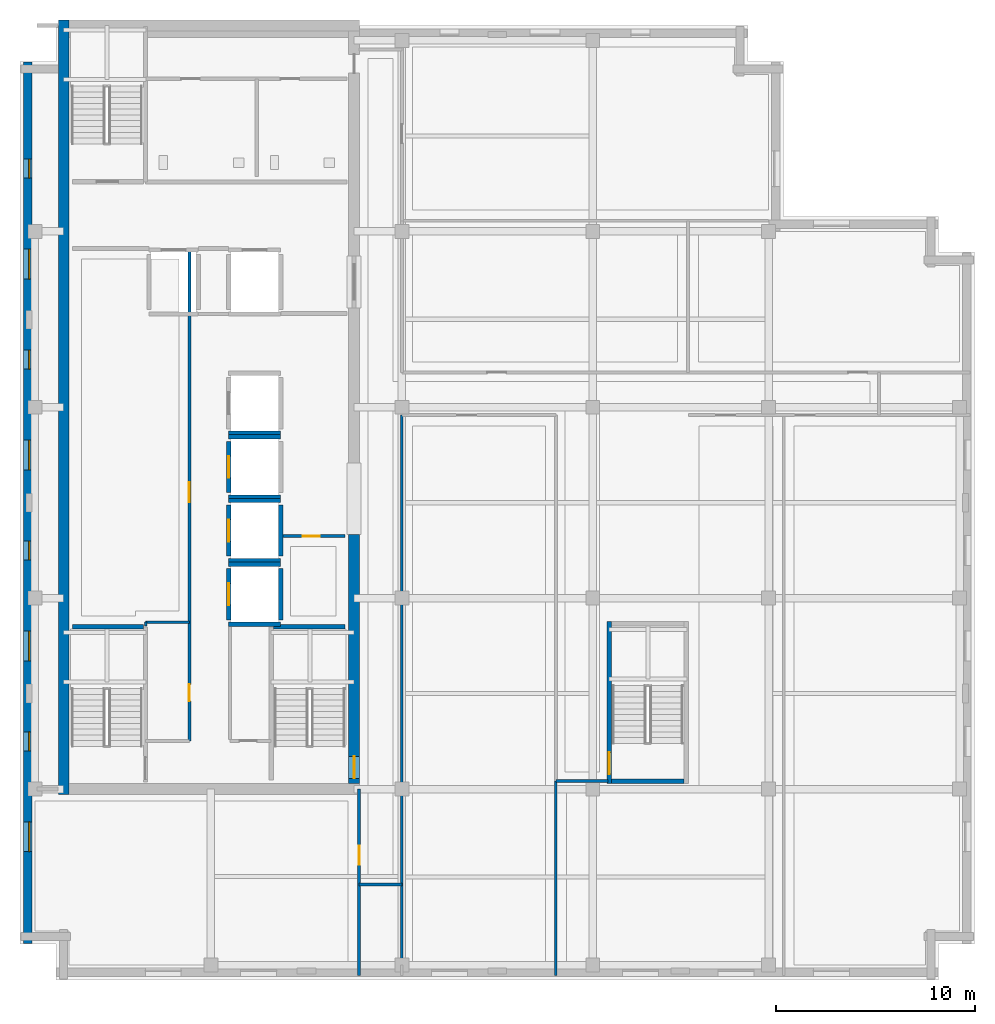
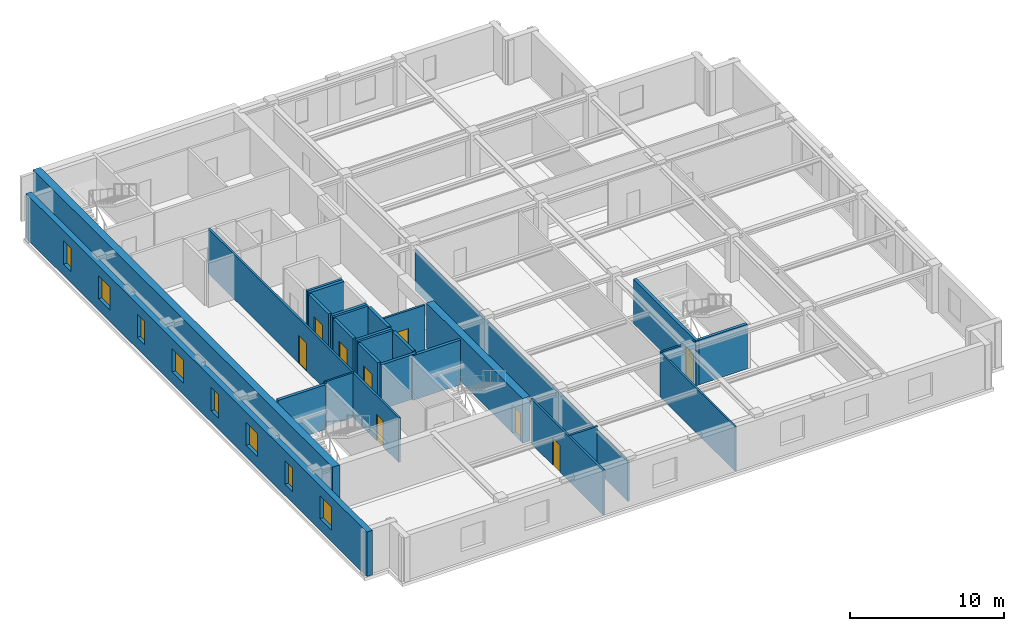
# One storey, part 3 of 10: 28 walls, 9 doors, 8 windows, 17 openings.
"""IFC4 building model written with IfcOpenShell, lengths in metres."""

from ifc_helpers import new_model, si_unit, direction, frame, frame_2d, origin, place, context, subcontext, project, spatial, rectangle, extrude, material, layer, layer_set, type_object, element, fill, save


model = new_model("IFC4")

# Units and contexts
model_context = context("Model", 3, precision=1e-05, world=origin(), true_north=direction((0.0, 1.0)))
body_context = subcontext(model_context, "Body", "Model", "MODEL_VIEW")
ifc_project = project(units=[si_unit("LENGTHUNIT", "METRE"), si_unit("AREAUNIT", "SQUARE_METRE"), si_unit("VOLUMEUNIT", "CUBIC_METRE"), si_unit("PLANEANGLEUNIT", "RADIAN"), si_unit("MASSUNIT", "GRAM", prefix="KILO")], contexts=[model_context])

# Site, building, storey
site_placement = place(None, origin())
site = spatial("IfcSite", under=ifc_project, at=site_placement, CompositionType="ELEMENT")
building_placement = place(site_placement, origin())
building = spatial("IfcBuilding", under=site, at=building_placement, Name="Norrvale University Quadrangle", CompositionType="ELEMENT")
storey_placement = place(building_placement, frame((0.0, 0.0, 296.199951171875)))
storey = spatial("IfcBuildingStorey", under=building, at=storey_placement, Name="L75", CompositionType="ELEMENT", Elevation=296.199951171875)

# Wall, openings, windows
ifc_material_1 = material(Name="Buff Norman Clay Brick Masonry", Category="masonry")
ifc_layer_1 = layer(ifc_material_1, 0.419921875, Name="Buff Norman Clay Brick Masonry")
ifc_layer_set_1 = layer_set([ifc_layer_1], Name="Buff Norman Clay Brick Masonry")
wall_type_1 = type_object("IfcWallType", Name="Wall Buff Brick 420", PredefinedType="SOLIDWALL", material=ifc_layer_set_1)
wall_1_placement = place(storey_placement, frame((0.389892578125, 46.159912109375, 0.0), z_axis=(0.0, 0.0, 1.0), x_axis=(0.0, -1.0, 0.0)))
wall_1 = element("IfcWall", 1, at=wall_1_placement, inside=storey, type_object=wall_type_1, Name="Exterior Brick Facade Wall L75-14.1", PredefinedType="SOLIDWALL", context=body_context, shape_type="SweptSolid", body=[
    extrude(rectangle(XDim=44.31982421875, YDim=0.419921875, at=frame_2d((22.159912109375, 0.0))), origin(), (0.0, 0.0, 1.0), 3.5400390625),
])
opening_1_placement = place(wall_1_placement, frame((4.885009765625, 0.0, 0.89990234375)))
opening_1 = element("IfcOpeningElement", 2, at=opening_1_placement, cuts=wall_1, Name="Opening W04", PredefinedType="OPENING", context=body_context, shape_type="SweptSolid", body=[
    extrude(rectangle(XDim=0.949951171875, YDim=1.85009765625, at=frame_2d((0.47509765625, 0.925048828125))), frame((0.0, 0.221923828125, 0.0), z_axis=(0.0, -1.0, 0.0), x_axis=(1.0, 0.0, 0.0)), (0.0, 0.0, 1.0), 0.44384765625),
])
opening_2_placement = place(wall_1_placement, frame((9.409912109375, 0.0, 0.89990234375)))
opening_2 = element("IfcOpeningElement", 3, at=opening_2_placement, cuts=wall_1, Name="Opening W03", PredefinedType="OPENING", context=body_context, shape_type="SweptSolid", body=[
    extrude(rectangle(XDim=1.5, YDim=1.85009765625, at=frame_2d((0.75, 0.925048828125))), frame((0.0, 0.221923828125, 0.0), z_axis=(0.0, -1.0, 0.0), x_axis=(1.0, 0.0, 0.0)), (0.0, 0.0, 1.0), 0.44384765625),
])
opening_3_placement = place(wall_1_placement, frame((14.485107421875, 0.0, 0.89990234375)))
opening_3 = element("IfcOpeningElement", 4, at=opening_3_placement, cuts=wall_1, Name="Opening W04", PredefinedType="OPENING", context=body_context, shape_type="SweptSolid", body=[
    extrude(rectangle(XDim=0.949951171875, YDim=1.85009765625, at=frame_2d((0.47509765625, 0.925048828125))), frame((0.0, 0.221923828125, 0.0), z_axis=(0.0, -1.0, 0.0), x_axis=(1.0, 0.0, 0.0)), (0.0, 0.0, 1.0), 0.44384765625),
])
opening_4_placement = place(wall_1_placement, frame((19.010009765625, 0.0, 0.89990234375)))
opening_4 = element("IfcOpeningElement", 5, at=opening_4_placement, cuts=wall_1, Name="Opening W03", PredefinedType="OPENING", context=body_context, shape_type="SweptSolid", body=[
    extrude(rectangle(XDim=1.5, YDim=1.85009765625, at=frame_2d((0.75, 0.925048828125))), frame((0.0, 0.221923828125, 0.0), z_axis=(0.0, -1.0, 0.0), x_axis=(1.0, 0.0, 0.0)), (0.0, 0.0, 1.0), 0.44384765625),
])
opening_5_placement = place(wall_1_placement, frame((24.0849609375, 0.0, 0.89990234375)))
opening_5 = element("IfcOpeningElement", 6, at=opening_5_placement, cuts=wall_1, Name="Opening W04", PredefinedType="OPENING", context=body_context, shape_type="SweptSolid", body=[
    extrude(rectangle(XDim=0.949951171875, YDim=1.85009765625, at=frame_2d((0.47509765625, 0.925048828125))), frame((0.0, 0.221923828125, 0.0), z_axis=(0.0, -1.0, 0.0), x_axis=(1.0, 0.0, 0.0)), (0.0, 0.0, 1.0), 0.44384765625),
])
opening_6_placement = place(wall_1_placement, frame((28.610107421875, 0.0, 0.89990234375)))
opening_6 = element("IfcOpeningElement", 7, at=opening_6_placement, cuts=wall_1, Name="Opening W03", PredefinedType="OPENING", context=body_context, shape_type="SweptSolid", body=[
    extrude(rectangle(XDim=1.5, YDim=1.85009765625, at=frame_2d((0.75, 0.925048828125))), frame((0.0, 0.221923828125, 0.0), z_axis=(0.0, -1.0, 0.0), x_axis=(1.0, 0.0, 0.0)), (0.0, 0.0, 1.0), 0.44384765625),
])
opening_7_placement = place(wall_1_placement, frame((33.68505859375, 0.0, 0.89990234375)))
opening_7 = element("IfcOpeningElement", 8, at=opening_7_placement, cuts=wall_1, Name="Opening W04", PredefinedType="OPENING", context=body_context, shape_type="SweptSolid", body=[
    extrude(rectangle(XDim=0.949951171875, YDim=1.85009765625, at=frame_2d((0.47509765625, 0.925048828125))), frame((0.0, 0.221923828125, 0.0), z_axis=(0.0, -1.0, 0.0), x_axis=(1.0, 0.0, 0.0)), (0.0, 0.0, 1.0), 0.44384765625),
])
opening_8_placement = place(wall_1_placement, frame((38.2099609375, 0.0, 0.89990234375)))
opening_8 = element("IfcOpeningElement", 9, at=opening_8_placement, cuts=wall_1, Name="Opening W03", PredefinedType="OPENING", context=body_context, shape_type="SweptSolid", body=[
    extrude(rectangle(XDim=1.5, YDim=1.85009765625, at=frame_2d((0.75, 0.925048828125))), frame((0.0, 0.221923828125, 0.0), z_axis=(0.0, -1.0, 0.0), x_axis=(1.0, 0.0, 0.0)), (0.0, 0.0, 1.0), 0.44384765625),
])
ifc_material_2 = material(Name="Triple Low-E Argon Glazing", Category="glass")
window_type_1 = type_object("IfcWindowType", Name="Window Narrow Pier 950x2300", PartitioningType="SINGLE_PANEL", PredefinedType="WINDOW", material=ifc_material_2)
window_1_placement = place(opening_1_placement, origin())
window_1 = element("IfcWindow", 10, at=window_1_placement, inside=storey, type_object=window_type_1, Name="Window Narrow Pier 950x2300 WIN-L75-E14-1-01", OverallHeight=1.85009765625, OverallWidth=0.949951171875, PartitioningType="SINGLE_PANEL", PredefinedType="WINDOW", context=body_context, shape_type="SweptSolid", body=[
    extrude(rectangle(XDim=0.949951171875, YDim=1.85009765625, at=frame_2d((0.47509765625, 0.925048828125))), frame((0.0, 0.110107421875, 0.0), z_axis=(0.0, -1.0, 0.0), x_axis=(1.0, 0.0, 0.0)), (0.0, 0.0, 1.0), 0.06005859375),
])
fill(opening_1, window_1)
window_2_placement = place(opening_3_placement, origin())
window_2 = element("IfcWindow", 11, at=window_2_placement, inside=storey, type_object=window_type_1, Name="Window Narrow Pier 950x2300 WIN-L75-E14-1-03", OverallHeight=1.85009765625, OverallWidth=0.949951171875, PartitioningType="SINGLE_PANEL", PredefinedType="WINDOW", context=body_context, shape_type="SweptSolid", body=[
    extrude(rectangle(XDim=0.949951171875, YDim=1.85009765625, at=frame_2d((0.47509765625, 0.925048828125))), frame((0.0, 0.110107421875, 0.0), z_axis=(0.0, -1.0, 0.0), x_axis=(1.0, 0.0, 0.0)), (0.0, 0.0, 1.0), 0.06005859375),
])
fill(opening_3, window_2)
window_3_placement = place(opening_5_placement, origin())
window_3 = element("IfcWindow", 12, at=window_3_placement, inside=storey, type_object=window_type_1, Name="Window Narrow Pier 950x2300 WIN-L75-E14-1-05", OverallHeight=1.85009765625, OverallWidth=0.949951171875, PartitioningType="SINGLE_PANEL", PredefinedType="WINDOW", context=body_context, shape_type="SweptSolid", body=[
    extrude(rectangle(XDim=0.949951171875, YDim=1.85009765625, at=frame_2d((0.47509765625, 0.925048828125))), frame((0.0, 0.110107421875, 0.0), z_axis=(0.0, -1.0, 0.0), x_axis=(1.0, 0.0, 0.0)), (0.0, 0.0, 1.0), 0.06005859375),
])
fill(opening_5, window_3)
window_4_placement = place(opening_7_placement, origin())
window_4 = element("IfcWindow", 13, at=window_4_placement, inside=storey, type_object=window_type_1, Name="Window Narrow Pier 950x2300 WIN-L75-E14-1-07", OverallHeight=1.85009765625, OverallWidth=0.949951171875, PartitioningType="SINGLE_PANEL", PredefinedType="WINDOW", context=body_context, shape_type="SweptSolid", body=[
    extrude(rectangle(XDim=0.949951171875, YDim=1.85009765625, at=frame_2d((0.47509765625, 0.925048828125))), frame((0.0, 0.110107421875, 0.0), z_axis=(0.0, -1.0, 0.0), x_axis=(1.0, 0.0, 0.0)), (0.0, 0.0, 1.0), 0.06005859375),
])
fill(opening_7, window_4)
window_type_2 = type_object("IfcWindowType", Name="Window Studio 1500x2300", PartitioningType="DOUBLE_PANEL_VERTICAL", PredefinedType="WINDOW", material=ifc_material_2)
window_5_placement = place(opening_2_placement, origin())
window_5 = element("IfcWindow", 14, at=window_5_placement, inside=storey, type_object=window_type_2, Name="Window Studio 1500x2300 WIN-L75-E14-1-02", OverallHeight=1.85009765625, OverallWidth=1.5, PartitioningType="DOUBLE_PANEL_VERTICAL", PredefinedType="WINDOW", context=body_context, shape_type="SweptSolid", body=[
    extrude(rectangle(XDim=1.5, YDim=1.85009765625, at=frame_2d((0.75, 0.925048828125))), frame((0.0, 0.110107421875, 0.0), z_axis=(0.0, -1.0, 0.0), x_axis=(1.0, 0.0, 0.0)), (0.0, 0.0, 1.0), 0.06005859375),
])
fill(opening_2, window_5)
window_6_placement = place(opening_4_placement, origin())
window_6 = element("IfcWindow", 15, at=window_6_placement, inside=storey, type_object=window_type_2, Name="Window Studio 1500x2300 WIN-L75-E14-1-04", OverallHeight=1.85009765625, OverallWidth=1.5, PartitioningType="DOUBLE_PANEL_VERTICAL", PredefinedType="WINDOW", context=body_context, shape_type="SweptSolid", body=[
    extrude(rectangle(XDim=1.5, YDim=1.85009765625, at=frame_2d((0.75, 0.925048828125))), frame((0.0, 0.110107421875, 0.0), z_axis=(0.0, -1.0, 0.0), x_axis=(1.0, 0.0, 0.0)), (0.0, 0.0, 1.0), 0.06005859375),
])
fill(opening_4, window_6)
window_7_placement = place(opening_6_placement, origin())
window_7 = element("IfcWindow", 16, at=window_7_placement, inside=storey, type_object=window_type_2, Name="Window Studio 1500x2300 WIN-L75-E14-1-06", OverallHeight=1.85009765625, OverallWidth=1.5, PartitioningType="DOUBLE_PANEL_VERTICAL", PredefinedType="WINDOW", context=body_context, shape_type="SweptSolid", body=[
    extrude(rectangle(XDim=1.5, YDim=1.85009765625, at=frame_2d((0.75, 0.925048828125))), frame((0.0, 0.110107421875, 0.0), z_axis=(0.0, -1.0, 0.0), x_axis=(1.0, 0.0, 0.0)), (0.0, 0.0, 1.0), 0.06005859375),
])
fill(opening_6, window_7)
window_8_placement = place(opening_8_placement, origin())
window_8 = element("IfcWindow", 17, at=window_8_placement, inside=storey, type_object=window_type_2, Name="Window Studio 1500x2300 WIN-L75-E14-1-08", OverallHeight=1.85009765625, OverallWidth=1.5, PartitioningType="DOUBLE_PANEL_VERTICAL", PredefinedType="WINDOW", context=body_context, shape_type="SweptSolid", body=[
    extrude(rectangle(XDim=1.5, YDim=1.85009765625, at=frame_2d((0.75, 0.925048828125))), frame((0.0, 0.110107421875, 0.0), z_axis=(0.0, -1.0, 0.0), x_axis=(1.0, 0.0, 0.0)), (0.0, 0.0, 1.0), 0.06005859375),
])
fill(opening_8, window_8)

# Wall
ifc_material_3 = material(Name="Concrete C60/75", Category="concrete")
ifc_layer_2 = layer(ifc_material_3, 0.550048828125, Name="Concrete C60/75")
ifc_layer_set_2 = layer_set([ifc_layer_2], Name="Concrete C60/75")
wall_type_2 = type_object("IfcWallType", Name="Wall Core 550", PredefinedType="SHEAR", material=ifc_layer_set_2)
wall_2_placement = place(storey_placement, frame((2.199951171875, 9.324951171875, 0.0), z_axis=(0.0, 0.0, 1.0), x_axis=(0.0, 1.0, 0.0)))
element("IfcWall", 18, at=wall_2_placement, inside=storey, type_object=wall_type_2, Name="Tower Core Shear Wall L75-W", PredefinedType="SHEAR", context=body_context, shape_type="SweptSolid", body=[
    extrude(rectangle(XDim=38.949951171875, YDim=0.550048828125, at=frame_2d((19.47509765625, 0.0))), origin(), (0.0, 0.0, 1.0), 3.5400390625),
])

# Wall, opening, door
wall_3_placement = place(storey_placement, frame((16.800048828125, 9.875, 0.0), z_axis=(0.0, 0.0, 1.0), x_axis=(0.0, 1.0, 0.0)))
wall_3 = element("IfcWall", 19, at=wall_3_placement, inside=storey, type_object=wall_type_2, Name="Tower Core Shear Wall L75-E1", PredefinedType="SHEAR", context=body_context, shape_type="SweptSolid", body=[
    extrude(rectangle(XDim=12.52490234375, YDim=0.550048828125, at=frame_2d((6.262451171875, 0.0))), origin(), (0.0, 0.0, 1.0), 3.5400390625),
])
opening_9_placement = place(wall_3_placement, frame((0.264892578125, 0.0, 0.0)))
opening_9 = element("IfcOpeningElement", 20, at=opening_9_placement, cuts=wall_3, Name="Opening D02", PredefinedType="OPENING", context=body_context, shape_type="SweptSolid", body=[
    extrude(rectangle(XDim=1.10009765625, YDim=2.199951171875, at=frame_2d((0.550048828125, 1.10009765625))), frame((0.0, 0.287109375, 0.0), z_axis=(0.0, -1.0, 0.0), x_axis=(1.0, 0.0, 0.0)), (0.0, 0.0, 1.0), 0.573974609375),
])
ifc_material_4 = material(Name="Hollow Steel 350W Fire Door", Category="steel")
door_type_1 = type_object("IfcDoorType", Name="Door Stair Exit 1100x2200", OperationType="NOTDEFINED", PredefinedType="DOOR", material=ifc_material_4)
door_1_placement = place(opening_9_placement, origin())
door_1 = element("IfcDoor", 21, at=door_1_placement, inside=storey, type_object=door_type_1, Name="Door Stair Exit 1100x2200 DR-L75-ST03", OperationType="SINGLE_SWING_LEFT", OverallHeight=2.199951171875, OverallWidth=1.10009765625, PredefinedType="DOOR", context=body_context, shape_type="SweptSolid", body=[
    extrude(rectangle(XDim=1.10009765625, YDim=2.199951171875, at=frame_2d((0.550048828125, 1.10009765625))), frame((0.0, 0.02490234375, 0.0), z_axis=(0.0, -1.0, 0.0), x_axis=(1.0, 0.0, 0.0)), (0.0, 0.0, 1.0), 0.050048828125),
])
fill(opening_9, door_1)

# Walls
ifc_material_5 = material(Name="Standard Academic Gypsum Partition")
ifc_layer_3 = layer(ifc_material_5, 0.125, Name="Standard Academic Gypsum Partition")
ifc_layer_set_3 = layer_set([ifc_layer_3], Name="Standard Academic Gypsum Partition")
wall_type_3 = type_object("IfcWallType", Name="Wall Gypsum Academic 125", PredefinedType="PARTITIONING", material=ifc_layer_set_3)
wall_4_placement = place(storey_placement, frame((6.320068359375, 17.800048828125, 0.0), z_axis=(0.0, 0.0, 1.0), x_axis=(0.0, 1.0, 0.0)))
element("IfcWall", 22, at=wall_4_placement, inside=storey, type_object=wall_type_3, Name="Interior Partition WL-L75-REC-L1", PredefinedType="PARTITIONING", context=body_context, shape_type="SweptSolid", body=[
    extrude(rectangle(XDim=0.199951171875, YDim=0.125, at=frame_2d((0.10009765625, 0.0))), origin(), (0.0, 0.0, 1.0), 3.5400390625),
])
wall_5_placement = place(storey_placement, frame((6.320068359375, 18.0, 0.0), z_axis=(0.0, 0.0, 1.0), x_axis=(1.0, 0.0, 0.0)))
element("IfcWall", 23, at=wall_5_placement, inside=storey, type_object=wall_type_3, Name="Interior Partition WL-L75-REC-L2", PredefinedType="PARTITIONING", context=body_context, shape_type="SweptSolid", body=[
    extrude(rectangle(XDim=2.199951171875, YDim=0.125, at=frame_2d((1.10009765625, 0.0))), origin(), (0.0, 0.0, 1.0), 3.5400390625),
])
wall_6_placement = place(storey_placement, frame((19.199951171875, 0.75, 0.0), z_axis=(0.0, 0.0, 1.0), x_axis=(0.0, 1.0, 0.0)))
element("IfcWall", 24, at=wall_6_placement, inside=storey, type_object=wall_type_3, Name="Interior Partition WL-L75-SE-W0-B2", PredefinedType="PARTITIONING", context=body_context, shape_type="SweptSolid", body=[
    extrude(rectangle(XDim=27.64990234375, YDim=0.125, at=frame_2d((13.824951171875, 0.0))), origin(), (0.0, 0.0, 1.0), 3.18408203125),
])
wall_7_placement = place(storey_placement, frame((26.949951171875, 0.219970703125, 0.0), z_axis=(0.0, 0.0, 1.0), x_axis=(0.0, 1.0, 0.0)))
element("IfcWall", 25, at=wall_7_placement, inside=storey, type_object=wall_type_3, Name="Interior Partition WL-L75-SEP1A", PredefinedType="PARTITIONING", context=body_context, shape_type="SweptSolid", body=[
    extrude(rectangle(XDim=9.780029296875, YDim=0.125, at=frame_2d((4.89013671875, 0.0))), origin(), (0.0, 0.0, 1.0), 3.5400390625),
])

# Wall, opening, door
ifc_material_6 = material(Name="Fire-Rated Gypsum Stud Partition")
ifc_layer_4 = layer(ifc_material_6, 0.14990234375, Name="Fire-Rated Gypsum Stud Partition")
ifc_layer_set_4 = layer_set([ifc_layer_4], Name="Fire-Rated Gypsum Stud Partition")
wall_type_4 = type_object("IfcWallType", Name="Wall Gypsum Corridor 150", PredefinedType="PARTITIONING", material=ifc_layer_set_4)
wall_8_placement = place(storey_placement, frame((13.22509765625, 22.320068359375, 0.0), z_axis=(0.0, 0.0, 1.0), x_axis=(1.0, 0.0, 0.0)))
wall_8 = element("IfcWall", 26, at=wall_8_placement, inside=storey, type_object=wall_type_4, Name="Interior Partition WL-L75-JAN-N", PredefinedType="PARTITIONING", context=body_context, shape_type="SweptSolid", body=[
    extrude(rectangle(XDim=3.119873046875, YDim=0.14990234375, at=frame_2d((1.56005859375, 0.0))), origin(), (0.0, 0.0, 1.0), 3.5400390625),
])
opening_10_placement = place(wall_8_placement, frame((1.0, 0.0, 0.0)))
opening_10 = element("IfcOpeningElement", 27, at=opening_10_placement, cuts=wall_8, Name="Opening D10", PredefinedType="OPENING", context=body_context, shape_type="SweptSolid", body=[
    extrude(rectangle(XDim=0.85009765625, YDim=2.10009765625, at=frame_2d((0.425048828125, 1.050048828125))), frame((0.0, 0.0869140625, 0.0), z_axis=(0.0, -1.0, 0.0), x_axis=(1.0, 0.0, 0.0)), (0.0, 0.0, 1.0), 0.173828125),
])
ifc_material_7 = material(Name="Hollow Steel 350W Riser Fire Door", Category="steel")
door_type_2 = type_object("IfcDoorType", Name="Door Riser 850x2100", OperationType="NOTDEFINED", PredefinedType="DOOR", material=ifc_material_7)
door_2_placement = place(opening_10_placement, origin())
door_2 = element("IfcDoor", 28, at=door_2_placement, inside=storey, type_object=door_type_2, Name="Door Riser 850x2100 DR-L75-JAN", OperationType="SINGLE_SWING_LEFT", OverallHeight=2.10009765625, OverallWidth=0.85009765625, PredefinedType="DOOR", context=body_context, shape_type="SweptSolid", body=[
    extrude(rectangle(XDim=0.85009765625, YDim=2.10009765625, at=frame_2d((0.425048828125, 1.050048828125))), frame((0.0, 0.02490234375, 0.0), z_axis=(0.0, -1.0, 0.0), x_axis=(1.0, 0.0, 0.0)), (0.0, 0.0, 1.0), 0.050048828125),
])
fill(opening_10, door_2)

# Wall, openings, doors
wall_9_placement = place(storey_placement, frame((8.52001953125, 12.02001953125, 0.0), z_axis=(0.0, 0.0, 1.0), x_axis=(0.0, 1.0, 0.0)))
wall_9 = element("IfcWall", 29, at=wall_9_placement, inside=storey, type_object=wall_type_4, Name="Interior Partition WL-L75-REC-E", PredefinedType="PARTITIONING", context=body_context, shape_type="SweptSolid", body=[
    extrude(rectangle(XDim=24.760009765625, YDim=0.14990234375, at=frame_2d((12.3798828125, 0.0))), origin(), (0.0, 0.0, 1.0), 3.5400390625),
])
opening_11_placement = place(wall_9_placement, frame((2.0, 0.0, 0.0)))
opening_11 = element("IfcOpeningElement", 30, at=opening_11_placement, cuts=wall_9, Name="Opening D10", PredefinedType="OPENING", context=body_context, shape_type="SweptSolid", body=[
    extrude(rectangle(XDim=0.85009765625, YDim=2.10009765625, at=frame_2d((0.425048828125, 1.050048828125))), frame((0.0, 0.0869140625, 0.0), z_axis=(0.0, -1.0, 0.0), x_axis=(1.0, 0.0, 0.0)), (0.0, 0.0, 1.0), 0.173828125),
])
opening_12_placement = place(wall_9_placement, frame((12.0, 0.0, 0.0)))
opening_12 = element("IfcOpeningElement", 31, at=opening_12_placement, cuts=wall_9, Name="Opening D04", PredefinedType="OPENING", context=body_context, shape_type="SweptSolid", body=[
    extrude(rectangle(XDim=1.0, YDim=2.199951171875, at=frame_2d((0.5, 1.10009765625))), frame((0.0, 0.0869140625, 0.0), z_axis=(0.0, -1.0, 0.0), x_axis=(1.0, 0.0, 0.0)), (0.0, 0.0, 1.0), 0.173828125),
])
ifc_material_8 = material(Name="Solid-Core Oak Fire Door", Category="wood")
door_type_3 = type_object("IfcDoorType", Name="Door Corridor 1000x2200", OperationType="NOTDEFINED", PredefinedType="DOOR", material=ifc_material_8)
door_3_placement = place(opening_12_placement, origin())
door_3 = element("IfcDoor", 32, at=door_3_placement, inside=storey, type_object=door_type_3, Name="Door Corridor 1000x2200 DR-L75-REC2", OperationType="SINGLE_SWING_RIGHT", OverallHeight=2.199951171875, OverallWidth=1.0, PredefinedType="DOOR", context=body_context, shape_type="SweptSolid", body=[
    extrude(rectangle(XDim=1.0, YDim=2.199951171875, at=frame_2d((0.5, 1.10009765625))), frame((0.0, 0.02490234375, 0.0), z_axis=(0.0, -1.0, 0.0), x_axis=(1.0, 0.0, 0.0)), (0.0, 0.0, 1.0), 0.050048828125),
])
fill(opening_12, door_3)
door_4_placement = place(opening_11_placement, origin())
door_4 = element("IfcDoor", 33, at=door_4_placement, inside=storey, type_object=door_type_2, Name="Door Riser 850x2100 DR-L75-REC1", OperationType="SINGLE_SWING_LEFT", OverallHeight=2.10009765625, OverallWidth=0.85009765625, PredefinedType="DOOR", context=body_context, shape_type="SweptSolid", body=[
    extrude(rectangle(XDim=0.85009765625, YDim=2.10009765625, at=frame_2d((0.425048828125, 1.050048828125))), frame((0.0, 0.02490234375, 0.0), z_axis=(0.0, -1.0, 0.0), x_axis=(1.0, 0.0, 0.0)), (0.0, 0.0, 1.0), 0.050048828125),
])
fill(opening_11, door_4)

# Wall
wall_10_placement = place(storey_placement, frame((17.050048828125, 4.800048828125, 0.0), z_axis=(0.0, 0.0, 1.0), x_axis=(1.0, 0.0, 0.0)))
element("IfcWall", 34, at=wall_10_placement, inside=storey, type_object=wall_type_4, Name="Interior Partition WL-L75-CSP-S", PredefinedType="PARTITIONING", context=body_context, shape_type="SweptSolid", body=[
    extrude(rectangle(XDim=2.14990234375, YDim=0.14990234375, at=frame_2d((1.074951171875, 0.0))), origin(), (0.0, 0.0, 1.0), 3.5400390625),
])

# Wall, opening, door
wall_11_placement = place(storey_placement, frame((17.050048828125, 0.219970703125, 0.0), z_axis=(0.0, 0.0, 1.0), x_axis=(0.0, 1.0, 0.0)))
wall_11 = element("IfcWall", 35, at=wall_11_placement, inside=storey, type_object=wall_type_4, Name="Interior Partition WL-L75-SW-E", PredefinedType="PARTITIONING", context=body_context, shape_type="SweptSolid", body=[
    extrude(rectangle(XDim=9.380126953125, YDim=0.14990234375, at=frame_2d((4.68994140625, 0.0))), origin(), (0.0, 0.0, 1.0), 3.5400390625),
])
opening_13_placement = place(wall_11_placement, frame((5.580078125, 0.0, 0.0)))
opening_13 = element("IfcOpeningElement", 36, at=opening_13_placement, cuts=wall_11, Name="Opening D07", PredefinedType="OPENING", context=body_context, shape_type="SweptSolid", body=[
    extrude(rectangle(XDim=0.949951171875, YDim=2.14990234375, at=frame_2d((0.47509765625, 1.074951171875))), frame((0.0, 0.0869140625, 0.0), z_axis=(0.0, -1.0, 0.0), x_axis=(1.0, 0.0, 0.0)), (0.0, 0.0, 1.0), 0.173828125),
])
ifc_material_9 = material(Name="Solid-Core Maple Door", Category="wood")
door_type_4 = type_object("IfcDoorType", Name="Door Office 950x2150", OperationType="NOTDEFINED", PredefinedType="DOOR", material=ifc_material_9)
door_5_placement = place(opening_13_placement, origin())
door_5 = element("IfcDoor", 37, at=door_5_placement, inside=storey, type_object=door_type_4, Name="Door Office 950x2150 DR-L75-SW1", OperationType="SINGLE_SWING_LEFT", OverallHeight=2.14990234375, OverallWidth=0.949951171875, PredefinedType="DOOR", context=body_context, shape_type="SweptSolid", body=[
    extrude(rectangle(XDim=0.949951171875, YDim=2.14990234375, at=frame_2d((0.47509765625, 1.074951171875))), frame((0.0, 0.02490234375, 0.0), z_axis=(0.0, -1.0, 0.0), x_axis=(1.0, 0.0, 0.0)), (0.0, 0.0, 1.0), 0.050048828125),
])
fill(opening_13, door_5)

# Walls
wall_12_placement = place(storey_placement, frame((26.949951171875, 10.0, 0.0), z_axis=(0.0, 0.0, 1.0), x_axis=(1.0, 0.0, 0.0)))
element("IfcWall", 38, at=wall_12_placement, inside=storey, type_object=wall_type_4, Name="Interior Partition WL-L75-SEP1C", PredefinedType="PARTITIONING", context=body_context, shape_type="SweptSolid", body=[
    extrude(rectangle(XDim=2.630126953125, YDim=0.14990234375, at=frame_2d((1.31494140625, 0.0))), origin(), (0.0, 0.0, 1.0), 3.5400390625),
])
ifc_material_10 = material(Name="Concrete Blockwork 20 MPa Fire Shaft", Category="masonry")
ifc_layer_5 = layer(ifc_material_10, 0.219970703125, Name="Concrete Blockwork 20 MPa Fire Shaft")
ifc_layer_set_5 = layer_set([ifc_layer_5], Name="Concrete Blockwork 20 MPa Fire Shaft")
wall_type_5 = type_object("IfcWallType", Name="Wall Shaft 220", PredefinedType="SOLIDWALL", material=ifc_layer_set_5)
wall_13_placement = place(storey_placement, frame((2.64990234375, 17.760009765625, 0.0), z_axis=(0.0, 0.0, 1.0), x_axis=(1.0, 0.0, 0.0)))
element("IfcWall", 39, at=wall_13_placement, inside=storey, type_object=wall_type_5, Name="Stair ST-01 North Shaft Wall L75", PredefinedType="SOLIDWALL", context=body_context, shape_type="SweptSolid", body=[
    extrude(rectangle(XDim=3.550048828125, YDim=0.219970703125, at=frame_2d((1.77490234375, 0.0))), origin(), (0.0, 0.0, 1.0), 3.5400390625),
])
wall_14_placement = place(storey_placement, frame((12.75, 17.760009765625, 0.0), z_axis=(0.0, 0.0, 1.0), x_axis=(1.0, 0.0, 0.0)))
element("IfcWall", 40, at=wall_14_placement, inside=storey, type_object=wall_type_5, Name="Stair ST-03 North Shaft Wall L75", PredefinedType="SOLIDWALL", context=body_context, shape_type="SweptSolid", body=[
    extrude(rectangle(XDim=3.60009765625, YDim=0.219970703125, at=frame_2d((1.800048828125, 0.0))), origin(), (0.0, 0.0, 1.0), 3.5400390625),
])
wall_15_placement = place(storey_placement, frame((29.75, 9.989990234375, 0.0), z_axis=(0.0, 0.0, 1.0), x_axis=(1.0, 0.0, 0.0)))
element("IfcWall", 41, at=wall_15_placement, inside=storey, type_object=wall_type_5, Name="Stair ST-04 South Shaft Wall L75", PredefinedType="SOLIDWALL", context=body_context, shape_type="SweptSolid", body=[
    extrude(rectangle(XDim=3.64990234375, YDim=0.219970703125, at=frame_2d((1.824951171875, 0.0))), origin(), (0.0, 0.0, 1.0), 3.5400390625),
])

# Wall, opening, door
wall_16_placement = place(storey_placement, frame((29.639892578125, 9.8798828125, 0.0), z_axis=(0.0, 0.0, 1.0), x_axis=(0.0, 1.0, 0.0)))
wall_16 = element("IfcWall", 42, at=wall_16_placement, inside=storey, type_object=wall_type_5, Name="Stair ST-04 West Shaft Wall L75", PredefinedType="SOLIDWALL", context=body_context, shape_type="SweptSolid", body=[
    extrude(rectangle(XDim=8.14013671875, YDim=0.219970703125, at=frame_2d((4.070068359375, 0.0))), origin(), (0.0, 0.0, 1.0), 3.5400390625),
])
opening_14_placement = place(wall_16_placement, frame((0.469970703125, 0.0, 0.0)))
opening_14 = element("IfcOpeningElement", 43, at=opening_14_placement, cuts=wall_16, Name="Opening D02", PredefinedType="OPENING", context=body_context, shape_type="SweptSolid", body=[
    extrude(rectangle(XDim=1.10009765625, YDim=2.199951171875, at=frame_2d((0.550048828125, 1.10009765625))), frame((0.0, 0.1220703125, 0.0), z_axis=(0.0, -1.0, 0.0), x_axis=(1.0, 0.0, 0.0)), (0.0, 0.0, 1.0), 0.243896484375),
])
door_6_placement = place(opening_14_placement, frame((1.10009765625, 0.0, 0.0), z_axis=(0.0, 0.0, 1.0), x_axis=(-1.0, 0.0, 0.0)))
door_6 = element("IfcDoor", 44, at=door_6_placement, inside=storey, type_object=door_type_1, Name="Door Stair Exit 1100x2200 DR-L75-ST04", OperationType="SINGLE_SWING_RIGHT", OverallHeight=2.199951171875, OverallWidth=1.10009765625, PredefinedType="DOOR", context=body_context, shape_type="SweptSolid", body=[
    extrude(rectangle(XDim=1.10009765625, YDim=2.199951171875, at=frame_2d((0.550048828125, 1.10009765625))), frame((0.0, 0.02490234375, 0.0), z_axis=(0.0, -1.0, 0.0), x_axis=(1.0, 0.0, 0.0)), (0.0, 0.0, 1.0), 0.050048828125),
])
fill(opening_14, door_6)

wall_17_placement = place(storey_placement, frame((10.489990234375, 18.110107421875, 0.0), z_axis=(0.0, 0.0, 1.0), x_axis=(0.0, 1.0, 0.0)))
wall_17 = element("IfcWall", 45, at=wall_17_placement, inside=storey, type_object=wall_type_5, Name="Hoistway PL-05 West Wall L75", PredefinedType="SOLIDWALL", context=body_context, shape_type="SweptSolid", body=[
    extrude(rectangle(XDim=2.579833984375, YDim=0.219970703125, at=frame_2d((1.2900390625, 0.0))), origin(), (0.0, 0.0, 1.0), 3.5400390625),
])
opening_15_placement = place(wall_17_placement, frame((0.739990234375, 0.0, 0.0)))
opening_15 = element("IfcOpeningElement", 46, at=opening_15_placement, cuts=wall_17, Name="Opening LD1", PredefinedType="OPENING", context=body_context, shape_type="SweptSolid", body=[
    extrude(rectangle(XDim=1.10009765625, YDim=2.199951171875, at=frame_2d((0.550048828125, 1.10009765625))), frame((0.0, 0.1220703125, 0.0), z_axis=(0.0, -1.0, 0.0), x_axis=(1.0, 0.0, 0.0)), (0.0, 0.0, 1.0), 0.243896484375),
])
ifc_material_11 = material(Name="Stainless Steel 316L Lift Landing Door", Category="steel")
door_type_5 = type_object("IfcDoorType", Name="Door Lift Landing 1100x2200", OperationType="DOUBLE_DOOR_SLIDING", PredefinedType="DOOR", material=ifc_material_11)
door_7_placement = place(opening_15_placement, origin())
door_7 = element("IfcDoor", 47, at=door_7_placement, inside=storey, type_object=door_type_5, Name="Elevator Landing Door DR-L75-PL-05", OperationType="DOUBLE_DOOR_SLIDING", OverallHeight=2.199951171875, OverallWidth=1.10009765625, PredefinedType="DOOR", context=body_context, shape_type="SweptSolid", body=[
    extrude(rectangle(XDim=1.10009765625, YDim=2.199951171875, at=frame_2d((0.550048828125, 1.10009765625))), frame((0.0, 0.02490234375, 0.0), z_axis=(0.0, -1.0, 0.0), x_axis=(1.0, 0.0, 0.0)), (0.0, 0.0, 1.0), 0.050048828125),
])
fill(opening_15, door_7)

# Walls
wall_18_placement = place(storey_placement, frame((13.110107421875, 18.110107421875, 0.0), z_axis=(0.0, 0.0, 1.0), x_axis=(0.0, 1.0, 0.0)))
element("IfcWall", 48, at=wall_18_placement, inside=storey, type_object=wall_type_5, Name="Hoistway PL-05 East Wall L75", PredefinedType="SOLIDWALL", context=body_context, shape_type="SweptSolid", body=[
    extrude(rectangle(XDim=2.579833984375, YDim=0.219970703125, at=frame_2d((1.2900390625, 0.0))), origin(), (0.0, 0.0, 1.0), 3.5400390625),
])
for number, where, z_axis, x_axis, name in (
    (49, (10.489990234375, 17.889892578125, 0.0), (0.0, 0.0, 1.0), (1.0, 0.0, 0.0), "Hoistway PL-05 South Wall L75"),
    (50, (10.489990234375, 20.909912109375, 0.0), (0.0, 0.0, 1.0), (1.0, 0.0, 0.0), "Hoistway PL-05 North Wall L75"),
):
    element("IfcWall", number, at=place(storey_placement, frame(where, z_axis=z_axis, x_axis=x_axis)), inside=storey, type_object=wall_type_5, Name=name, PredefinedType="SOLIDWALL", context=body_context, shape_type="SweptSolid", body=[
        extrude(rectangle(XDim=2.6201171875, YDim=0.219970703125, at=frame_2d((1.31005859375, 0.0))), origin(), (0.0, 0.0, 1.0), 3.5400390625),
    ])

# Wall, opening, door
wall_19_placement = place(storey_placement, frame((10.489990234375, 21.31005859375, 0.0), z_axis=(0.0, 0.0, 1.0), x_axis=(0.0, 1.0, 0.0)))
wall_19 = element("IfcWall", 51, at=wall_19_placement, inside=storey, type_object=wall_type_5, Name="Hoistway PL-06 West Wall L75", PredefinedType="SOLIDWALL", context=body_context, shape_type="SweptSolid", body=[
    extrude(rectangle(XDim=2.579833984375, YDim=0.219970703125, at=frame_2d((1.2900390625, 0.0))), origin(), (0.0, 0.0, 1.0), 3.5400390625),
])
opening_16_placement = place(wall_19_placement, frame((0.739990234375, 0.0, 0.0)))
opening_16 = element("IfcOpeningElement", 52, at=opening_16_placement, cuts=wall_19, Name="Opening LD1", PredefinedType="OPENING", context=body_context, shape_type="SweptSolid", body=[
    extrude(rectangle(XDim=1.10009765625, YDim=2.199951171875, at=frame_2d((0.550048828125, 1.10009765625))), frame((0.0, 0.1220703125, 0.0), z_axis=(0.0, -1.0, 0.0), x_axis=(1.0, 0.0, 0.0)), (0.0, 0.0, 1.0), 0.243896484375),
])
door_8_placement = place(opening_16_placement, origin())
door_8 = element("IfcDoor", 53, at=door_8_placement, inside=storey, type_object=door_type_5, Name="Elevator Landing Door DR-L75-PL-06", OperationType="DOUBLE_DOOR_SLIDING", OverallHeight=2.199951171875, OverallWidth=1.10009765625, PredefinedType="DOOR", context=body_context, shape_type="SweptSolid", body=[
    extrude(rectangle(XDim=1.10009765625, YDim=2.199951171875, at=frame_2d((0.550048828125, 1.10009765625))), frame((0.0, 0.02490234375, 0.0), z_axis=(0.0, -1.0, 0.0), x_axis=(1.0, 0.0, 0.0)), (0.0, 0.0, 1.0), 0.050048828125),
])
fill(opening_16, door_8)

# Walls
wall_20_placement = place(storey_placement, frame((13.110107421875, 21.31005859375, 0.0), z_axis=(0.0, 0.0, 1.0), x_axis=(0.0, 1.0, 0.0)))
element("IfcWall", 54, at=wall_20_placement, inside=storey, type_object=wall_type_5, Name="Hoistway PL-06 East Wall L75", PredefinedType="SOLIDWALL", context=body_context, shape_type="SweptSolid", body=[
    extrude(rectangle(XDim=2.579833984375, YDim=0.219970703125, at=frame_2d((1.2900390625, 0.0))), origin(), (0.0, 0.0, 1.0), 3.5400390625),
])
for number, where, z_axis, x_axis, name in (
    (55, (10.489990234375, 21.090087890625, 0.0), (0.0, 0.0, 1.0), (1.0, 0.0, 0.0), "Hoistway PL-06 South Wall L75"),
    (56, (10.489990234375, 24.110107421875, 0.0), (0.0, 0.0, 1.0), (1.0, 0.0, 0.0), "Hoistway PL-06 North Wall L75"),
):
    element("IfcWall", number, at=place(storey_placement, frame(where, z_axis=z_axis, x_axis=x_axis)), inside=storey, type_object=wall_type_5, Name=name, PredefinedType="SOLIDWALL", context=body_context, shape_type="SweptSolid", body=[
        extrude(rectangle(XDim=2.6201171875, YDim=0.219970703125, at=frame_2d((1.31005859375, 0.0))), origin(), (0.0, 0.0, 1.0), 3.5400390625),
    ])

# Wall, opening, door
wall_21_placement = place(storey_placement, frame((10.489990234375, 24.510009765625, 0.0), z_axis=(0.0, 0.0, 1.0), x_axis=(0.0, 1.0, 0.0)))
wall_21 = element("IfcWall", 57, at=wall_21_placement, inside=storey, type_object=wall_type_5, Name="Hoistway PL-07 West Wall L75", PredefinedType="SOLIDWALL", context=body_context, shape_type="SweptSolid", body=[
    extrude(rectangle(XDim=2.580078125, YDim=0.219970703125, at=frame_2d((1.2900390625, 0.0))), origin(), (0.0, 0.0, 1.0), 3.5400390625),
])
opening_17_placement = place(wall_21_placement, frame((0.739990234375, 0.0, 0.0)))
opening_17 = element("IfcOpeningElement", 58, at=opening_17_placement, cuts=wall_21, Name="Opening LD1", PredefinedType="OPENING", context=body_context, shape_type="SweptSolid", body=[
    extrude(rectangle(XDim=1.10009765625, YDim=2.199951171875, at=frame_2d((0.550048828125, 1.10009765625))), frame((0.0, 0.1220703125, 0.0), z_axis=(0.0, -1.0, 0.0), x_axis=(1.0, 0.0, 0.0)), (0.0, 0.0, 1.0), 0.243896484375),
])
door_9_placement = place(opening_17_placement, origin())
door_9 = element("IfcDoor", 59, at=door_9_placement, inside=storey, type_object=door_type_5, Name="Elevator Landing Door DR-L75-PL-07", OperationType="DOUBLE_DOOR_SLIDING", OverallHeight=2.199951171875, OverallWidth=1.10009765625, PredefinedType="DOOR", context=body_context, shape_type="SweptSolid", body=[
    extrude(rectangle(XDim=1.10009765625, YDim=2.199951171875, at=frame_2d((0.550048828125, 1.10009765625))), frame((0.0, 0.02490234375, 0.0), z_axis=(0.0, -1.0, 0.0), x_axis=(1.0, 0.0, 0.0)), (0.0, 0.0, 1.0), 0.050048828125),
])
fill(opening_17, door_9)

# Walls
for number, where, z_axis, x_axis, name in (
    (60, (10.489990234375, 24.2900390625, 0.0), (0.0, 0.0, 1.0), (1.0, 0.0, 0.0), "Hoistway PL-07 South Wall L75"),
    (61, (10.489990234375, 27.31005859375, 0.0), (0.0, 0.0, 1.0), (1.0, 0.0, 0.0), "Hoistway PL-07 North Wall L75"),
    (62, (10.489990234375, 27.489990234375, 0.0), (0.0, 0.0, 1.0), (1.0, 0.0, 0.0), "Hoistway PL-08 South Wall L75"),
):
    element("IfcWall", number, at=place(storey_placement, frame(where, z_axis=z_axis, x_axis=x_axis)), inside=storey, type_object=wall_type_5, Name=name, PredefinedType="SOLIDWALL", context=body_context, shape_type="SweptSolid", body=[
        extrude(rectangle(XDim=2.6201171875, YDim=0.219970703125, at=frame_2d((1.31005859375, 0.0))), origin(), (0.0, 0.0, 1.0), 3.5400390625),
    ])

save(model, "model.ifc")
